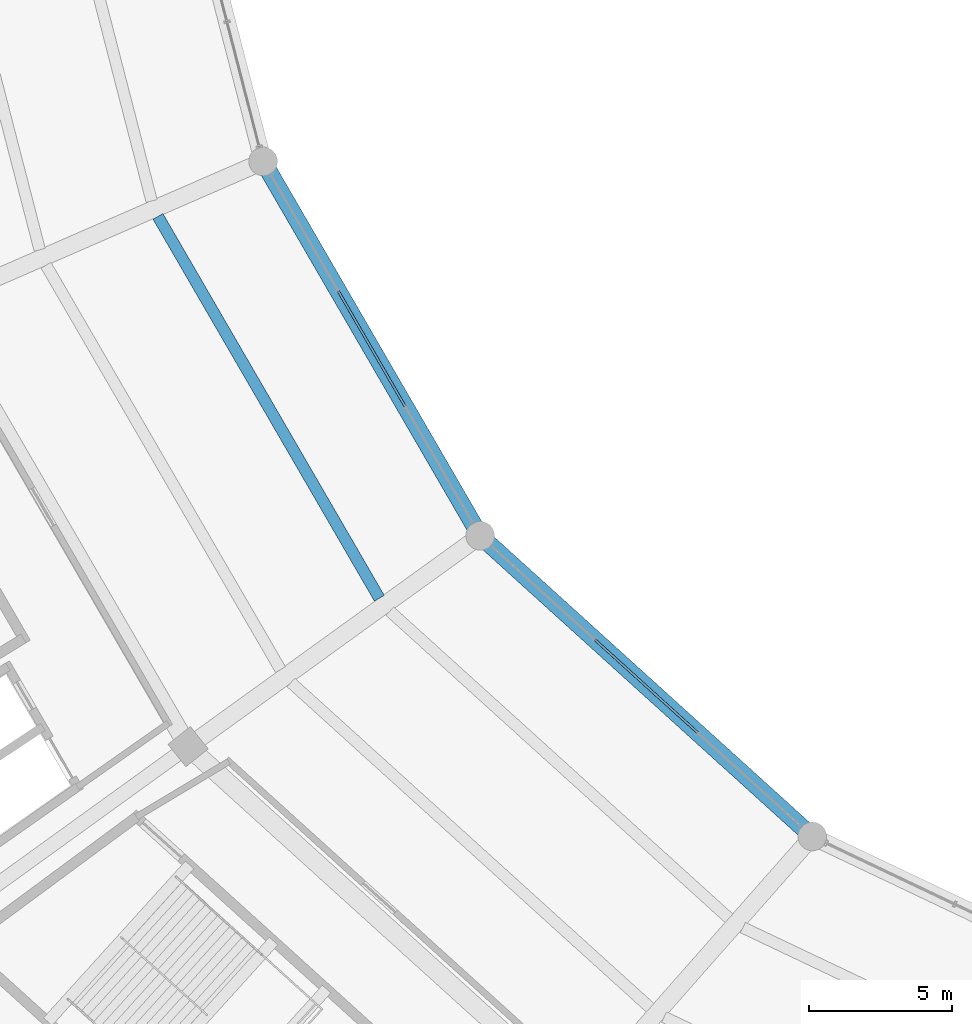
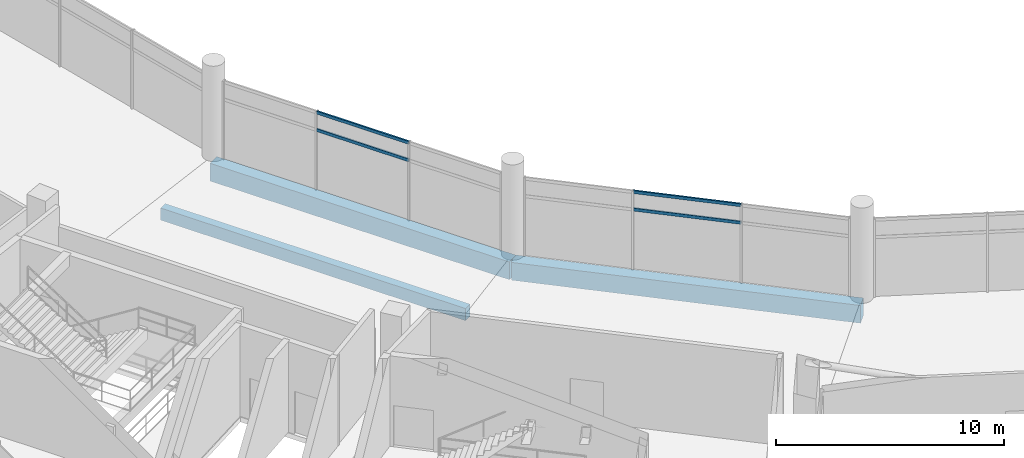
# One storey, part 14 of 184: 4 members, 3 beams, 2 elements without a shape of their own.
"""IFC4 building model written with IfcOpenShell, lengths in metres."""

from ifc_helpers import new_model, si_unit, direction, frame, origin, origin_2d, place, context, subcontext, project, spatial, rectangle, hollow_rectangle, extrude, material, layer, layer_set, material_profile, profile_set, type_object, element, aggregate, save


model = new_model("IFC4")

# Units and contexts
model_context = context("Model", 3, precision=1e-05, world=origin(), true_north=direction((0.0, 1.0)))
body_context = subcontext(model_context, "Body", "Model", "MODEL_VIEW")
ifc_project = project(units=[si_unit("LENGTHUNIT", "METRE"), si_unit("AREAUNIT", "SQUARE_METRE"), si_unit("VOLUMEUNIT", "CUBIC_METRE"), si_unit("PLANEANGLEUNIT", "RADIAN"), si_unit("MASSUNIT", "GRAM", prefix="KILO")], contexts=[model_context])

# Site, building, storey
site_placement = place(None, origin())
site = spatial("IfcSite", under=ifc_project, at=site_placement, CompositionType="ELEMENT")
building_placement = place(site_placement, origin())
building = spatial("IfcBuilding", under=site, at=building_placement, Name="Kazemori Nagisa Stadium", CompositionType="ELEMENT")
storey_placement = place(building_placement, frame((0.0, 0.0, 10.5400390625)))
storey = spatial("IfcBuildingStorey", under=building, at=storey_placement, Name="L02", CompositionType="ELEMENT", Elevation=10.5400390625)

# Beams
ifc_material_1 = material(Name="Concrete C40/50 (Fc42)", Category="concrete")
ifc_material_profile_1 = material_profile(ifc_material_1, rectangle(XDim=0.60009765625, YDim=0.949951171875, at=origin_2d()), Name="RC-BM-600x950")
ifc_profile_set_1 = profile_set([ifc_material_profile_1], Name="Concrete C40/50 (Fc42)")
beam_type_1 = type_object("IfcBeamType", Name="Beam_BG-RC600X950", PredefinedType="BEAM", material=ifc_profile_set_1)
beam_1_placement = place(storey_placement, frame((58.114013671875, 73.712890625, -0.735107421875), z_axis=(0.501613453924, -0.865091869597, 0.0), x_axis=(0.865091869597, 0.501613453924, 0.0)))
element("IfcBeam", 1, at=beam_1_placement, inside=storey, type_object=beam_type_1, Name="Ring girder BG-RC600X950 L02 R1-17", PredefinedType="BEAM", context=body_context, shape_type="SweptSolid", body=[
    extrude(rectangle(XDim=0.60009765625, YDim=0.949951171875, at=origin_2d()), origin(), (0.0, 0.0, 1.0), 15.1201171875),
])
beam_2_placement = place(storey_placement, frame((65.698486328125, 60.632568359375, -0.735107421875), z_axis=(0.741349160152, -0.6711195294, 0.0), x_axis=(0.6711195294, 0.741349160152, 0.0)))
element("IfcBeam", 2, at=beam_2_placement, inside=storey, type_object=beam_type_1, Name="Ring girder BG-RC600X950 L02 R1-18", PredefinedType="BEAM", context=body_context, shape_type="SweptSolid", body=[
    extrude(rectangle(XDim=0.60009765625, YDim=0.949951171875, at=origin_2d()), origin(), (0.0, 0.0, 1.0), 15.65380859375),
])
ifc_material_profile_2 = material_profile(ifc_material_1, rectangle(XDim=0.39990234375, YDim=0.64990234375, at=origin_2d()), Name="RC-BM-400x650")
ifc_profile_set_2 = profile_set([ifc_material_profile_2], Name="Concrete C40/50 (Fc42)")
beam_type_2 = type_object("IfcBeamType", Name="Beam_BJ-RC400X650", PredefinedType="JOIST", material=ifc_profile_set_2)
beam_3_placement = place(storey_placement, frame((54.43994140625, 71.79150390625, -0.5849609375), z_axis=(0.501607199617, -0.865095496054, 0.0), x_axis=(0.865095496054, 0.501607199617, 0.0)))
element("IfcBeam", 3, at=beam_3_placement, inside=storey, type_object=beam_type_2, Name="Concourse joist BJ-RC400X650 L02 B17-1", PredefinedType="JOIST", context=body_context, shape_type="SweptSolid", body=[
    extrude(rectangle(XDim=0.39990234375, YDim=0.64990234375, at=origin_2d()), origin(), (0.0, 0.0, 1.0), 15.420654296875),
])

# Curtain wall, members
ifc_material_2 = material(Name="Anodised aluminium 6063-T5", Category="aluminium")
ifc_layer_1 = layer(ifc_material_2, 0.2099609375, Name="Anodised aluminium 6063-T5", Category="aluminium")
ifc_layer_set_1 = layer_set([ifc_layer_1], Name="Anodised aluminium 6063-T5")
curtain_wall_type_1 = type_object("IfcCurtainWallType", Name="CW_L02B_71", PredefinedType="USERDEFINED", material=ifc_layer_set_1)
curtain_wall_1_placement = place(storey_placement, origin())
curtain_wall_1 = element("IfcCurtainWall", 4, at=curtain_wall_1_placement, inside=storey, type_object=curtain_wall_type_1, Name="Unitised curtain wall CW-L02B-71 L02", ObjectType="UNITISED CURTAIN WALL", PredefinedType="USERDEFINED")
ifc_material_3 = material(Name="Aluminium 6063-T5 anodised", Category="aluminium")
ifc_material_profile_3 = material_profile(ifc_material_3, hollow_rectangle(XDim=0.080078125, YDim=0.159912109375, WallThickness=0.00390625, at=origin_2d()), Name="ALU-TRAN-80x160x4")
ifc_profile_set_3 = profile_set([ifc_material_profile_3], Name="Aluminium 6063-T5 anodised")
member_type = type_object("IfcMemberType", Name="Transom_T02", PredefinedType="USERDEFINED", material=ifc_profile_set_3)
member_1_placement = place(storey_placement, frame((60.74169921875, 69.18115234375, 3.184326171875), z_axis=(0.501610282552, -0.865093708472, 0.0), x_axis=(0.865093708472, 0.501610282552, 0.0)))
member_1 = element("IfcMember", 5, at=member_1_placement, type_object=member_type, Name="Curtain wall transom CW-L02B-71-T2-mid", ObjectType="TRANSOM", PredefinedType="USERDEFINED", context=body_context, shape_type="SweptSolid", body=[
    extrude(hollow_rectangle(XDim=0.080078125, YDim=0.159912109375, WallThickness=0.00390625, at=origin_2d()), origin(), (0.0, 0.0, 1.0), 4.643310546875),
])
member_2_placement = place(storey_placement, frame((60.74169921875, 69.18115234375, 4.119873046875), z_axis=(0.501610282552, -0.865093708472, 0.0), x_axis=(0.865093708472, 0.501610282552, 0.0)))
member_2 = element("IfcMember", 6, at=member_2_placement, type_object=member_type, Name="Curtain wall transom CW-L02B-71-T2-head", ObjectType="TRANSOM", PredefinedType="USERDEFINED", context=body_context, shape_type="SweptSolid", body=[
    extrude(hollow_rectangle(XDim=0.080078125, YDim=0.159912109375, WallThickness=0.00390625, at=origin_2d()), origin(), (0.0, 0.0, 1.0), 4.643310546875),
])
aggregate(curtain_wall_1, [member_1, member_2])

ifc_layer_2 = layer(ifc_material_2, 0.2099609375, Name="Anodised aluminium 6063-T5", Category="aluminium")
ifc_layer_set_2 = layer_set([ifc_layer_2], Name="Anodised aluminium 6063-T5")
curtain_wall_type_2 = type_object("IfcCurtainWallType", Name="CW_L02B_73", PredefinedType="USERDEFINED", material=ifc_layer_set_2)
curtain_wall_2_placement = place(storey_placement, origin())
curtain_wall_2 = element("IfcCurtainWall", 7, at=curtain_wall_2_placement, inside=storey, type_object=curtain_wall_type_2, Name="Unitised curtain wall CW-L02B-73 L02", ObjectType="UNITISED CURTAIN WALL", PredefinedType="USERDEFINED")
member_3_placement = place(storey_placement, frame((69.7138671875, 56.99755859375, 3.184326171875), z_axis=(0.741352201466, -0.671116169811, 0.0), x_axis=(0.671116169811, 0.741352201466, 0.0)))
member_3 = element("IfcMember", 8, at=member_3_placement, type_object=member_type, Name="Curtain wall transom CW-L02B-73-T2-mid", ObjectType="TRANSOM", PredefinedType="USERDEFINED", context=body_context, shape_type="SweptSolid", body=[
    extrude(hollow_rectangle(XDim=0.080078125, YDim=0.159912109375, WallThickness=0.00390625, at=origin_2d()), origin(), (0.0, 0.0, 1.0), 4.8212890625),
])
member_4_placement = place(storey_placement, frame((69.7138671875, 56.99755859375, 4.119873046875), z_axis=(0.741352201466, -0.671116169811, 0.0), x_axis=(0.671116169811, 0.741352201466, 0.0)))
member_4 = element("IfcMember", 9, at=member_4_placement, type_object=member_type, Name="Curtain wall transom CW-L02B-73-T2-head", ObjectType="TRANSOM", PredefinedType="USERDEFINED", context=body_context, shape_type="SweptSolid", body=[
    extrude(hollow_rectangle(XDim=0.080078125, YDim=0.159912109375, WallThickness=0.00390625, at=origin_2d()), origin(), (0.0, 0.0, 1.0), 4.8212890625),
])
aggregate(curtain_wall_2, [member_3, member_4])

save(model, "model.ifc")
